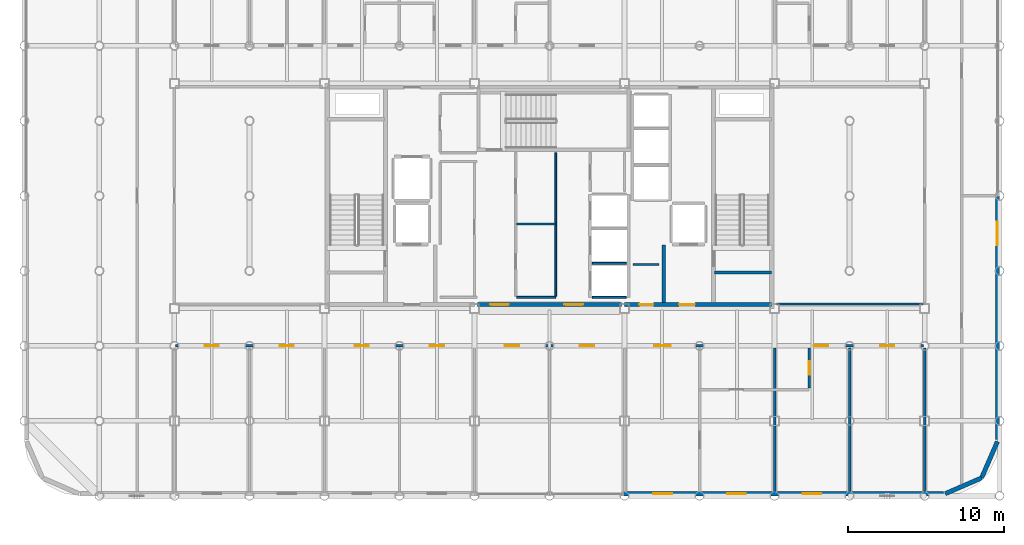
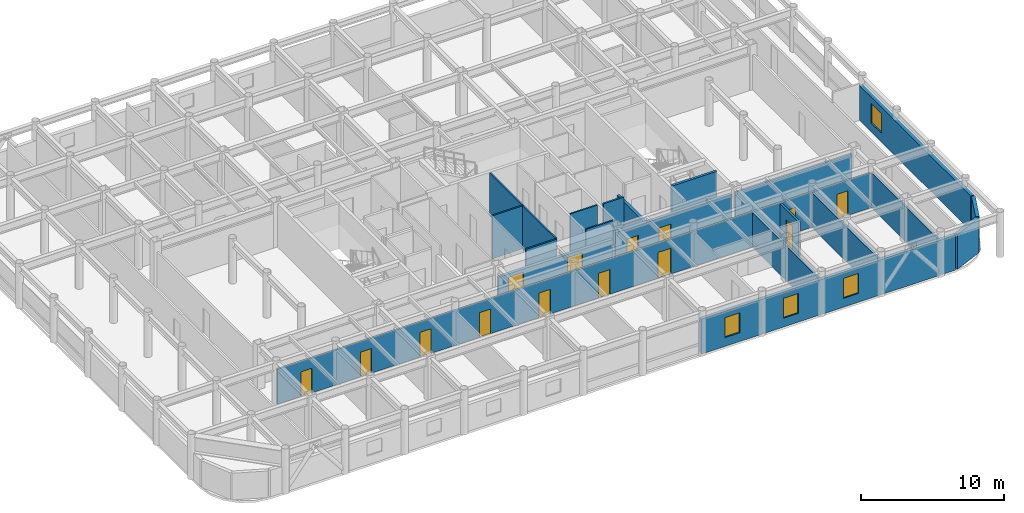
# One storey, part 19 of 22: 20 walls, 14 doors, 4 windows, 18 openings.
"""IFC4 building model written with IfcOpenShell, lengths in metres."""

from ifc_helpers import new_model, si_unit, direction, frame, frame_2d, origin, place, context, subcontext, project, spatial, rectangle, extrude, material, layer, layer_set, type_object, element, fill, save


model = new_model("IFC4")

# Units and contexts
model_context = context("Model", 3, precision=1e-05, world=origin(), true_north=direction((0.0, 1.0)))
body_context = subcontext(model_context, "Body", "Model", "MODEL_VIEW")
ifc_project = project(units=[si_unit("LENGTHUNIT", "METRE"), si_unit("AREAUNIT", "SQUARE_METRE"), si_unit("VOLUMEUNIT", "CUBIC_METRE"), si_unit("PLANEANGLEUNIT", "RADIAN"), si_unit("MASSUNIT", "GRAM", prefix="KILO")], contexts=[model_context])

# Site, building, storey
site_placement = place(None, origin())
site = spatial("IfcSite", under=ifc_project, at=site_placement, CompositionType="ELEMENT")
building_placement = place(site_placement, origin())
building = spatial("IfcBuilding", under=site, at=building_placement, Name="Kallvorn Hotel Tower", CompositionType="ELEMENT")
storey_placement = place(building_placement, frame((0.0, 0.0, 253.10009765625)))
storey = spatial("IfcBuildingStorey", under=building, at=storey_placement, Name="L63", CompositionType="ELEMENT", Elevation=253.10009765625)

# Wall, openings, doors
ifc_material_1 = material(Name="Fire-rated double-layer acoustic gypsum drywall EI 60")
ifc_layer_1 = layer(ifc_material_1, 0.159912109375)
ifc_layer_set_1 = layer_set([ifc_layer_1], Name="WL_DEMISE_160")
wall_type_1 = type_object("IfcWallType", Name="WL_DEMISE_160", PredefinedType="PARTITIONING", material=ifc_layer_set_1)
wall_1_placement = place(storey_placement, frame((-23.919921875, -9.60009765625, 0.0), z_axis=(0.0, 0.0, 1.0), x_axis=(1.0, 0.0, 0.0)))
wall_1 = element("IfcWall", 1, at=wall_1_placement, inside=storey, type_object=wall_type_1, Name="L63 Suite 6301 Executive Living Salon Partition", PredefinedType="PARTITIONING", context=body_context, shape_type="SweptSolid", body=[
    extrude(rectangle(XDim=47.83984375, YDim=0.159912109375, at=frame_2d((23.919921875, 0.0))), origin(), (0.0, 0.0, 1.0), 2.969970703125),
])
opening_1_placement = place(wall_1_placement, frame((1.8701171875, 0.0, 0.0)))
opening_1 = element("IfcOpeningElement", 2, at=opening_1_placement, cuts=wall_1, Name="Opening SVD1", PredefinedType="OPENING", context=body_context, shape_type="SweptSolid", body=[
    extrude(rectangle(XDim=0.89990234375, YDim=2.10009765625, at=frame_2d((0.449951171875, 1.050048828125))), frame((0.0, 0.094970703125, 0.0), z_axis=(0.0, -1.0, 0.0), x_axis=(1.0, 0.0, 0.0)), (0.0, 0.0, 1.0), 0.18994140625),
])
opening_2_placement = place(wall_1_placement, frame((45.070068359375, 0.0, 0.0)))
opening_2 = element("IfcOpeningElement", 3, at=opening_2_placement, cuts=wall_1, Name="Opening SVD1", PredefinedType="OPENING", context=body_context, shape_type="SweptSolid", body=[
    extrude(rectangle(XDim=0.89990234375, YDim=2.10009765625, at=frame_2d((0.449951171875, 1.050048828125))), frame((0.0, 0.094970703125, 0.0), z_axis=(0.0, -1.0, 0.0), x_axis=(1.0, 0.0, 0.0)), (0.0, 0.0, 1.0), 0.18994140625),
])
opening_3_placement = place(wall_1_placement, frame((6.669921875, 0.0, 0.0)))
opening_3 = element("IfcOpeningElement", 4, at=opening_3_placement, cuts=wall_1, Name="Opening SVD1", PredefinedType="OPENING", context=body_context, shape_type="SweptSolid", body=[
    extrude(rectangle(XDim=0.89990234375, YDim=2.10009765625, at=frame_2d((0.449951171875, 1.050048828125))), frame((0.0, 0.094970703125, 0.0), z_axis=(0.0, -1.0, 0.0), x_axis=(1.0, 0.0, 0.0)), (0.0, 0.0, 1.0), 0.18994140625),
])
opening_4_placement = place(wall_1_placement, frame((11.469970703125, 0.0, 0.0)))
opening_4 = element("IfcOpeningElement", 5, at=opening_4_placement, cuts=wall_1, Name="Opening SVD1", PredefinedType="OPENING", context=body_context, shape_type="SweptSolid", body=[
    extrude(rectangle(XDim=0.89990234375, YDim=2.10009765625, at=frame_2d((0.449951171875, 1.050048828125))), frame((0.0, 0.094970703125, 0.0), z_axis=(0.0, -1.0, 0.0), x_axis=(1.0, 0.0, 0.0)), (0.0, 0.0, 1.0), 0.18994140625),
])
opening_5_placement = place(wall_1_placement, frame((16.27001953125, 0.0, 0.0)))
opening_5 = element("IfcOpeningElement", 6, at=opening_5_placement, cuts=wall_1, Name="Opening SVD1", PredefinedType="OPENING", context=body_context, shape_type="SweptSolid", body=[
    extrude(rectangle(XDim=0.89990234375, YDim=2.10009765625, at=frame_2d((0.449951171875, 1.050048828125))), frame((0.0, 0.094970703125, 0.0), z_axis=(0.0, -1.0, 0.0), x_axis=(1.0, 0.0, 0.0)), (0.0, 0.0, 1.0), 0.18994140625),
])
opening_6_placement = place(wall_1_placement, frame((21.070068359375, 0.0, 0.0)))
opening_6 = element("IfcOpeningElement", 7, at=opening_6_placement, cuts=wall_1, Name="Opening SVD1", PredefinedType="OPENING", context=body_context, shape_type="SweptSolid", body=[
    extrude(rectangle(XDim=0.89990234375, YDim=2.10009765625, at=frame_2d((0.449951171875, 1.050048828125))), frame((0.0, 0.094970703125, 0.0), z_axis=(0.0, -1.0, 0.0), x_axis=(1.0, 0.0, 0.0)), (0.0, 0.0, 1.0), 0.18994140625),
])
opening_7_placement = place(wall_1_placement, frame((25.8701171875, 0.0, 0.0)))
opening_7 = element("IfcOpeningElement", 8, at=opening_7_placement, cuts=wall_1, Name="Opening SVD1", PredefinedType="OPENING", context=body_context, shape_type="SweptSolid", body=[
    extrude(rectangle(XDim=0.89990234375, YDim=2.10009765625, at=frame_2d((0.449951171875, 1.050048828125))), frame((0.0, 0.094970703125, 0.0), z_axis=(0.0, -1.0, 0.0), x_axis=(1.0, 0.0, 0.0)), (0.0, 0.0, 1.0), 0.18994140625),
])
opening_8_placement = place(wall_1_placement, frame((30.635009765625, 0.0, 0.0)))
opening_8 = element("IfcOpeningElement", 9, at=opening_8_placement, cuts=wall_1, Name="Opening GD2", PredefinedType="OPENING", context=body_context, shape_type="SweptSolid", body=[
    extrude(rectangle(XDim=1.050048828125, YDim=2.199951171875, at=frame_2d((0.52490234375, 1.10009765625))), frame((0.0, 0.094970703125, 0.0), z_axis=(0.0, -1.0, 0.0), x_axis=(1.0, 0.0, 0.0)), (0.0, 0.0, 1.0), 0.18994140625),
])
opening_9_placement = place(wall_1_placement, frame((40.830078125, 0.0, 0.0)))
opening_9 = element("IfcOpeningElement", 10, at=opening_9_placement, cuts=wall_1, Name="Opening GD1", PredefinedType="OPENING", context=body_context, shape_type="SweptSolid", body=[
    extrude(rectangle(XDim=0.919921875, YDim=2.14990234375, at=frame_2d((0.4599609375, 1.074951171875))), frame((0.0, 0.094970703125, 0.0), z_axis=(0.0, -1.0, 0.0), x_axis=(1.0, 0.0, 0.0)), (0.0, 0.0, 1.0), 0.18994140625),
])
ifc_material_2 = material(Name="Solid-core walnut veneer fire-rated timber door leaf", Category="wood")
door_type_1 = type_object("IfcDoorType", Name="DR_GUEST_920x2150", OperationType="NOTDEFINED", PredefinedType="DOOR", material=ifc_material_2)
door_1_placement = place(opening_9_placement, origin())
door_1 = element("IfcDoor", 11, at=door_1_placement, inside=storey, type_object=door_type_1, Name="L63 Suite 6302 Superior Twin Room Door", OperationType="SINGLE_SWING_LEFT", OverallHeight=2.14990234375, OverallWidth=0.919921875, PredefinedType="DOOR", context=body_context, shape_type="SweptSolid", body=[
    extrude(rectangle(XDim=0.919921875, YDim=2.14990234375, at=frame_2d((0.4599609375, 1.074951171875))), frame((0.0, 0.02490234375, 0.0), z_axis=(0.0, -1.0, 0.0), x_axis=(1.0, 0.0, 0.0)), (0.0, 0.0, 1.0), 0.050048828125),
])
fill(opening_9, door_1)
ifc_material_3 = material(Name="Galvanised painted steel fire-rated door assembly", Category="steel")
door_type_2 = type_object("IfcDoorType", Name="DR_SERV_900x2100", OperationType="NOTDEFINED", PredefinedType="DOOR", material=ifc_material_3)
door_2_placement = place(opening_1_placement, origin())
door_2 = element("IfcDoor", 12, at=door_2_placement, inside=storey, type_object=door_type_2, Name="L63 L63 High-Zone South-West Tea Bar Door", OperationType="SINGLE_SWING_LEFT", OverallHeight=2.10009765625, OverallWidth=0.89990234375, PredefinedType="DOOR", context=body_context, shape_type="SweptSolid", body=[
    extrude(rectangle(XDim=0.89990234375, YDim=2.10009765625, at=frame_2d((0.449951171875, 1.050048828125))), frame((0.0, 0.02490234375, 0.0), z_axis=(0.0, -1.0, 0.0), x_axis=(1.0, 0.0, 0.0)), (0.0, 0.0, 1.0), 0.050048828125),
])
fill(opening_1, door_2)
door_3_placement = place(opening_2_placement, origin())
door_3 = element("IfcDoor", 13, at=door_3_placement, inside=storey, type_object=door_type_2, Name="L63 L63 High-Zone South-East Wine Bar Door", OperationType="SINGLE_SWING_RIGHT", OverallHeight=2.10009765625, OverallWidth=0.89990234375, PredefinedType="DOOR", context=body_context, shape_type="SweptSolid", body=[
    extrude(rectangle(XDim=0.89990234375, YDim=2.10009765625, at=frame_2d((0.449951171875, 1.050048828125))), frame((0.0, 0.02490234375, 0.0), z_axis=(0.0, -1.0, 0.0), x_axis=(1.0, 0.0, 0.0)), (0.0, 0.0, 1.0), 0.050048828125),
])
fill(opening_2, door_3)
door_4_placement = place(opening_3_placement, origin())
door_4 = element("IfcDoor", 14, at=door_4_placement, inside=storey, type_object=door_type_2, Name="L63 L63 Executive Co-Working Open-Plan Office 1-1 Door", OperationType="SINGLE_SWING_LEFT", OverallHeight=2.10009765625, OverallWidth=0.89990234375, PredefinedType="DOOR", context=body_context, shape_type="SweptSolid", body=[
    extrude(rectangle(XDim=0.89990234375, YDim=2.10009765625, at=frame_2d((0.449951171875, 1.050048828125))), frame((0.0, 0.02490234375, 0.0), z_axis=(0.0, -1.0, 0.0), x_axis=(1.0, 0.0, 0.0)), (0.0, 0.0, 1.0), 0.050048828125),
])
fill(opening_3, door_4)
door_5_placement = place(opening_4_placement, origin())
door_5 = element("IfcDoor", 15, at=door_5_placement, inside=storey, type_object=door_type_2, Name="L63 L63 Executive Co-Working Open-Plan Office 1-2 Door", OperationType="SINGLE_SWING_RIGHT", OverallHeight=2.10009765625, OverallWidth=0.89990234375, PredefinedType="DOOR", context=body_context, shape_type="SweptSolid", body=[
    extrude(rectangle(XDim=0.89990234375, YDim=2.10009765625, at=frame_2d((0.449951171875, 1.050048828125))), frame((0.0, 0.02490234375, 0.0), z_axis=(0.0, -1.0, 0.0), x_axis=(1.0, 0.0, 0.0)), (0.0, 0.0, 1.0), 0.050048828125),
])
fill(opening_4, door_5)
door_6_placement = place(opening_5_placement, origin())
door_6 = element("IfcDoor", 16, at=door_6_placement, inside=storey, type_object=door_type_2, Name="L63 L63 Executive Co-Working Open-Plan Office 1-3 Door", OperationType="SINGLE_SWING_RIGHT", OverallHeight=2.10009765625, OverallWidth=0.89990234375, PredefinedType="DOOR", context=body_context, shape_type="SweptSolid", body=[
    extrude(rectangle(XDim=0.89990234375, YDim=2.10009765625, at=frame_2d((0.449951171875, 1.050048828125))), frame((0.0, 0.02490234375, 0.0), z_axis=(0.0, -1.0, 0.0), x_axis=(1.0, 0.0, 0.0)), (0.0, 0.0, 1.0), 0.050048828125),
])
fill(opening_5, door_6)
door_7_placement = place(opening_6_placement, origin())
door_7 = element("IfcDoor", 17, at=door_7_placement, inside=storey, type_object=door_type_2, Name="L63 L63 Diplomatic Summit Conference Boardroom 2-1 Door", OperationType="SINGLE_SWING_RIGHT", OverallHeight=2.10009765625, OverallWidth=0.89990234375, PredefinedType="DOOR", context=body_context, shape_type="SweptSolid", body=[
    extrude(rectangle(XDim=0.89990234375, YDim=2.10009765625, at=frame_2d((0.449951171875, 1.050048828125))), frame((0.0, 0.02490234375, 0.0), z_axis=(0.0, -1.0, 0.0), x_axis=(1.0, 0.0, 0.0)), (0.0, 0.0, 1.0), 0.050048828125),
])
fill(opening_6, door_7)
door_8_placement = place(opening_7_placement, origin())
door_8 = element("IfcDoor", 18, at=door_8_placement, inside=storey, type_object=door_type_2, Name="L63 L63 Diplomatic Summit Conference Boardroom 2-2 Door", OperationType="SINGLE_SWING_LEFT", OverallHeight=2.10009765625, OverallWidth=0.89990234375, PredefinedType="DOOR", context=body_context, shape_type="SweptSolid", body=[
    extrude(rectangle(XDim=0.89990234375, YDim=2.10009765625, at=frame_2d((0.449951171875, 1.050048828125))), frame((0.0, 0.02490234375, 0.0), z_axis=(0.0, -1.0, 0.0), x_axis=(1.0, 0.0, 0.0)), (0.0, 0.0, 1.0), 0.050048828125),
])
fill(opening_7, door_8)
ifc_material_4 = material(Name="Solid-core walnut veneer fire-rated timber door leaf", Category="wood")
door_type_3 = type_object("IfcDoorType", Name="DR_SUITE_1050x2200", OperationType="NOTDEFINED", PredefinedType="DOOR", material=ifc_material_4)
door_9_placement = place(opening_8_placement, origin())
door_9 = element("IfcDoor", 19, at=door_9_placement, inside=storey, type_object=door_type_3, Name="L63 Suite 6301 Executive Living Salon Door", OperationType="SINGLE_SWING_RIGHT", OverallHeight=2.199951171875, OverallWidth=1.050048828125, PredefinedType="DOOR", context=body_context, shape_type="SweptSolid", body=[
    extrude(rectangle(XDim=1.050048828125, YDim=2.199951171875, at=frame_2d((0.52490234375, 1.10009765625))), frame((0.0, 0.02490234375, 0.0), z_axis=(0.0, -1.0, 0.0), x_axis=(1.0, 0.0, 0.0)), (0.0, 0.0, 1.0), 0.050048828125),
])
fill(opening_8, door_9)

# Wall
wall_2_placement = place(storey_placement, frame((14.39990234375, -18.909912109375, 0.0), z_axis=(0.0, 0.0, 1.0), x_axis=(0.0, 1.0, 0.0)))
element("IfcWall", 20, at=wall_2_placement, inside=storey, type_object=wall_type_1, Name="L63 Suite 6301 Executive Bedroom Partition", PredefinedType="PARTITIONING", context=body_context, shape_type="SweptSolid", body=[
    extrude(rectangle(XDim=9.18994140625, YDim=0.159912109375, at=frame_2d((4.594970703125, 0.0))), origin(), (0.0, 0.0, 1.0), 2.969970703125),
])

# Wall, opening, door
wall_3_placement = place(storey_placement, frame((16.610107421875, -12.31005859375, 0.0), z_axis=(0.0, 0.0, 1.0), x_axis=(0.0, 1.0, 0.0)))
wall_3 = element("IfcWall", 21, at=wall_3_placement, inside=storey, type_object=wall_type_1, Name="L63 Suite 6302 Superior Twin Room Partition", PredefinedType="PARTITIONING", context=body_context, shape_type="SweptSolid", body=[
    extrude(rectangle(XDim=2.590087890625, YDim=0.159912109375, at=frame_2d((1.294921875, 0.0))), origin(), (0.0, 0.0, 1.0), 2.969970703125),
])
opening_10_placement = place(wall_3_placement, frame((0.860107421875, 0.0, 0.0)))
opening_10 = element("IfcOpeningElement", 22, at=opening_10_placement, cuts=wall_3, Name="Opening BD-I", PredefinedType="OPENING", context=body_context, shape_type="SweptSolid", body=[
    extrude(rectangle(XDim=0.860107421875, YDim=2.10009765625, at=frame_2d((0.43017578125, 1.050048828125))), frame((0.0, 0.094970703125, 0.0), z_axis=(0.0, -1.0, 0.0), x_axis=(1.0, 0.0, 0.0)), (0.0, 0.0, 1.0), 0.18994140625),
])
ifc_material_5 = material(Name="Solid-core walnut veneer fire-rated timber door leaf", Category="wood")
door_type_4 = type_object("IfcDoorType", Name="DR_BATH_860x2100", OperationType="NOTDEFINED", PredefinedType="DOOR", material=ifc_material_5)
door_10_placement = place(opening_10_placement, origin())
door_10 = element("IfcDoor", 23, at=door_10_placement, inside=storey, type_object=door_type_4, Name="L63 Suite 6302 En-Suite Bathroom Door", OperationType="SINGLE_SWING_RIGHT", OverallHeight=2.10009765625, OverallWidth=0.860107421875, PredefinedType="DOOR", context=body_context, shape_type="SweptSolid", body=[
    extrude(rectangle(XDim=0.860107421875, YDim=2.10009765625, at=frame_2d((0.43017578125, 1.050048828125))), frame((0.0, 0.02490234375, 0.0), z_axis=(0.0, -1.0, 0.0), x_axis=(1.0, 0.0, 0.0)), (0.0, 0.0, 1.0), 0.050048828125),
])
fill(opening_10, door_10)

# Walls
wall_4_placement = place(storey_placement, frame((19.199951171875, -18.909912109375, 0.0), z_axis=(0.0, 0.0, 1.0), x_axis=(0.0, 1.0, 0.0)))
element("IfcWall", 24, at=wall_4_placement, inside=storey, type_object=wall_type_1, Name="L63 Suite 6302 Superior Twin Room Partition", PredefinedType="PARTITIONING", context=body_context, shape_type="SweptSolid", body=[
    extrude(rectangle(XDim=9.18994140625, YDim=0.159912109375, at=frame_2d((4.594970703125, 0.0))), origin(), (0.0, 0.0, 1.0), 2.969970703125),
])
ifc_material_6 = material(Name="Precast basalt-clad insulated concrete wall C40/50", Category="masonry")
ifc_layer_2 = layer(ifc_material_6, 0.280029296875)
ifc_layer_set_2 = layer_set([ifc_layer_2], Name="WL_EXT_LOGGIA_280")
wall_type_2 = type_object("IfcWallType", Name="WL_EXT_LOGGIA_280", PredefinedType="SOLIDWALL", material=ifc_layer_set_2)
wall_5_placement = place(storey_placement, frame((25.32080078125, -19.057861328125, 0.0), z_axis=(0.0, 0.0, 1.0), x_axis=(0.917060872934, 0.398747232384, 0.0)))
element("IfcWall", 25, at=wall_5_placement, inside=storey, type_object=wall_type_2, Name="L63 Rounded Corner Exterior Wall SE1", PredefinedType="SOLIDWALL", context=body_context, shape_type="SweptSolid", body=[
    extrude(rectangle(XDim=2.5361328125, YDim=0.280029296875, at=frame_2d((1.26806640625, 0.0))), origin(), (0.0, 0.0, 1.0), 2.969970703125),
])
wall_6_placement = place(storey_placement, frame((27.646484375, -18.046630859375, 0.0), z_axis=(0.0, 0.0, 1.0), x_axis=(0.398792985289, 0.917040977756, 0.0)))
element("IfcWall", 26, at=wall_6_placement, inside=storey, type_object=wall_type_2, Name="L63 Rounded Corner Exterior Wall SE2", PredefinedType="SOLIDWALL", context=body_context, shape_type="SweptSolid", body=[
    extrude(rectangle(XDim=2.536376953125, YDim=0.280029296875, at=frame_2d((1.26806640625, 0.0))), origin(), (0.0, 0.0, 1.0), 3.02001953125),
])

# Wall, openings, windows
wall_7_placement = place(storey_placement, frame((4.75, -19.06005859375, 0.0), z_axis=(0.0, 0.0, 1.0), x_axis=(1.0, 0.0, 0.0)))
wall_7 = element("IfcWall", 27, at=wall_7_placement, inside=storey, type_object=wall_type_2, Name="L63 Exterior Envelope Wall EW-L63-SE", PredefinedType="SOLIDWALL", context=body_context, shape_type="SweptSolid", body=[
    extrude(rectangle(XDim=20.449951171875, YDim=0.280029296875, at=frame_2d((10.22509765625, 0.0))), origin(), (0.0, 0.0, 1.0), 2.969970703125),
])
opening_11_placement = place(wall_7_placement, frame((1.889892578125, 0.0, 0.75)))
opening_11 = element("IfcOpeningElement", 28, at=opening_11_placement, cuts=wall_7, Name="Opening W06", PredefinedType="OPENING", context=body_context, shape_type="SweptSolid", body=[
    extrude(rectangle(XDim=1.199951171875, YDim=1.699951171875, at=frame_2d((0.60009765625, 0.85009765625))), frame((0.0, 0.155029296875, 0.0), z_axis=(0.0, -1.0, 0.0), x_axis=(1.0, 0.0, 0.0)), (0.0, 0.0, 1.0), 0.31005859375),
])
opening_12_placement = place(wall_7_placement, frame((6.610107421875, 0.0, 0.75)))
opening_12 = element("IfcOpeningElement", 29, at=opening_12_placement, cuts=wall_7, Name="Opening W06", PredefinedType="OPENING", context=body_context, shape_type="SweptSolid", body=[
    extrude(rectangle(XDim=1.199951171875, YDim=1.699951171875, at=frame_2d((0.60009765625, 0.85009765625))), frame((0.0, 0.155029296875, 0.0), z_axis=(0.0, -1.0, 0.0), x_axis=(1.0, 0.0, 0.0)), (0.0, 0.0, 1.0), 0.31005859375),
])
opening_13_placement = place(wall_7_placement, frame((11.449951171875, 0.0, 0.75)))
opening_13 = element("IfcOpeningElement", 30, at=opening_13_placement, cuts=wall_7, Name="Opening W06", PredefinedType="OPENING", context=body_context, shape_type="SweptSolid", body=[
    extrude(rectangle(XDim=1.199951171875, YDim=1.699951171875, at=frame_2d((0.60009765625, 0.85009765625))), frame((0.0, 0.155029296875, 0.0), z_axis=(0.0, -1.0, 0.0), x_axis=(1.0, 0.0, 0.0)), (0.0, 0.0, 1.0), 0.31005859375),
])
ifc_material_7 = material(Name="Triple-glazed low-e acoustic solar-control dark glass", Category="glass")
window_type_1 = type_object("IfcWindowType", Name="WN_HTL_1200x1700", PartitioningType="SINGLE_PANEL", PredefinedType="WINDOW", material=ifc_material_7)
window_1_placement = place(opening_11_placement, origin())
window_1 = element("IfcWindow", 31, at=window_1_placement, inside=storey, type_object=window_type_1, Name="L63 Guestroom Exterior Window 07", OverallHeight=1.699951171875, OverallWidth=1.199951171875, PartitioningType="SINGLE_PANEL", PredefinedType="WINDOW", context=body_context, shape_type="SweptSolid", body=[
    extrude(rectangle(XDim=1.199951171875, YDim=1.699951171875, at=frame_2d((0.60009765625, 0.85009765625))), frame((0.0, 0.030029296875, 0.0), z_axis=(0.0, -1.0, 0.0), x_axis=(1.0, 0.0, 0.0)), (0.0, 0.0, 1.0), 0.06005859375),
])
fill(opening_11, window_1)
window_2_placement = place(opening_12_placement, origin())
window_2 = element("IfcWindow", 32, at=window_2_placement, inside=storey, type_object=window_type_1, Name="L63 Guestroom Exterior Window 08", OverallHeight=1.699951171875, OverallWidth=1.199951171875, PartitioningType="SINGLE_PANEL", PredefinedType="WINDOW", context=body_context, shape_type="SweptSolid", body=[
    extrude(rectangle(XDim=1.199951171875, YDim=1.699951171875, at=frame_2d((0.60009765625, 0.85009765625))), frame((0.0, 0.030029296875, 0.0), z_axis=(0.0, -1.0, 0.0), x_axis=(1.0, 0.0, 0.0)), (0.0, 0.0, 1.0), 0.06005859375),
])
fill(opening_12, window_2)
window_3_placement = place(opening_13_placement, origin())
window_3 = element("IfcWindow", 33, at=window_3_placement, inside=storey, type_object=window_type_1, Name="L63 Guestroom Exterior Window 09", OverallHeight=1.699951171875, OverallWidth=1.199951171875, PartitioningType="SINGLE_PANEL", PredefinedType="WINDOW", context=body_context, shape_type="SweptSolid", body=[
    extrude(rectangle(XDim=1.199951171875, YDim=1.699951171875, at=frame_2d((0.60009765625, 0.85009765625))), frame((0.0, 0.030029296875, 0.0), z_axis=(0.0, -1.0, 0.0), x_axis=(1.0, 0.0, 0.0)), (0.0, 0.0, 1.0), 0.06005859375),
])
fill(opening_13, window_3)

# Wall, opening, window
wall_8_placement = place(storey_placement, frame((28.659912109375, -15.60009765625, 0.0), z_axis=(0.0, 0.0, 1.0), x_axis=(0.0, 1.0, 0.0)))
wall_8 = element("IfcWall", 34, at=wall_8_placement, inside=storey, type_object=wall_type_2, Name="L63 Exterior Envelope Wall EW-L63-ES", PredefinedType="SOLIDWALL", context=body_context, shape_type="SweptSolid", body=[
    extrude(rectangle(XDim=15.580078125, YDim=0.280029296875, at=frame_2d((7.7900390625, 0.0))), origin(), (0.0, 0.0, 1.0), 2.969970703125),
])
opening_14_placement = place(wall_8_placement, frame((12.449951171875, 0.0, 0.75)))
opening_14 = element("IfcOpeningElement", 35, at=opening_14_placement, cuts=wall_8, Name="Opening W05", PredefinedType="OPENING", context=body_context, shape_type="SweptSolid", body=[
    extrude(rectangle(XDim=1.5, YDim=1.699951171875, at=frame_2d((0.75, 0.85009765625))), frame((0.0, 0.155029296875, 0.0), z_axis=(0.0, -1.0, 0.0), x_axis=(1.0, 0.0, 0.0)), (0.0, 0.0, 1.0), 0.31005859375),
])
ifc_material_8 = material(Name="Double-glazed low-e solar-control dark glass", Category="glass")
window_type_2 = type_object("IfcWindowType", Name="WN_HTL_1500x1700", PartitioningType="SINGLE_PANEL", PredefinedType="WINDOW", material=ifc_material_8)
window_4_placement = place(opening_14_placement, origin())
window_4 = element("IfcWindow", 36, at=window_4_placement, inside=storey, type_object=window_type_2, Name="L63 Flank Wing Window 03", OverallHeight=1.699951171875, OverallWidth=1.5, PartitioningType="SINGLE_PANEL", PredefinedType="WINDOW", context=body_context, shape_type="SweptSolid", body=[
    extrude(rectangle(XDim=1.5, YDim=1.699951171875, at=frame_2d((0.75, 0.85009765625))), frame((0.0, 0.030029296875, 0.0), z_axis=(0.0, -1.0, 0.0), x_axis=(1.0, 0.0, 0.0)), (0.0, 0.0, 1.0), 0.06005859375),
])
fill(opening_14, window_4)

# Walls
ifc_material_9 = material(Name="Concrete C40/50", Category="concrete")
ifc_layer_3 = layer(ifc_material_9, 0.219970703125)
ifc_layer_set_3 = layer_set([ifc_layer_3], Name="WL_FFL_220")
wall_type_3 = type_object("IfcWallType", Name="WL_FFL_220", PredefinedType="SOLIDWALL", material=ifc_layer_set_3)
wall_9_placement = place(storey_placement, frame((7.300048828125, -6.820068359375, 0.0), z_axis=(0.0, 0.0, 1.0), x_axis=(0.0, 1.0, 0.0)))
element("IfcWall", 37, at=wall_9_placement, inside=storey, type_object=wall_type_3, Name="L63 Firefighting Lobby East Divider Wall", PredefinedType="SOLIDWALL", context=body_context, shape_type="SweptSolid", body=[
    extrude(rectangle(XDim=3.670166015625, YDim=0.219970703125, at=frame_2d((1.8349609375, 0.0))), origin(), (0.0, 0.0, 1.0), 2.969970703125),
])
ifc_material_10 = material(Name="Concrete C40/50", Category="concrete")
ifc_layer_4 = layer(ifc_material_10, 0.199951171875)
ifc_layer_set_4 = layer_set([ifc_layer_4], Name="WL_HOIST_200")
wall_type_4 = type_object("IfcWallType", Name="WL_HOIST_200", PredefinedType="SOLIDWALL", material=ifc_layer_set_4)
wall_10_placement = place(storey_placement, frame((10.550048828125, -4.89990234375, -0.18017578125), z_axis=(0.0, 0.0, 1.0), x_axis=(1.0, 0.0, 0.0)))
element("IfcWall", 38, at=wall_10_placement, inside=storey, type_object=wall_type_4, Name="L63 Stair ST2 South Wall", PredefinedType="SOLIDWALL", context=body_context, shape_type="SweptSolid", body=[
    extrude(rectangle(XDim=3.64990234375, YDim=0.199951171875, at=frame_2d((1.824951171875, 0.0))), origin(), (0.0, 0.0, 1.0), 3.85009765625),
])
ifc_material_11 = material(Name="Fire-rated double-layer acoustic gypsum drywall EI 60")
ifc_layer_5 = layer(ifc_material_11, 0.1201171875)
ifc_layer_set_5 = layer_set([ifc_layer_5], Name="WL_INT_120")
wall_type_5 = type_object("IfcWallType", Name="WL_INT_120", PredefinedType="PARTITIONING", material=ifc_layer_set_5)
for number, where, z_axis, x_axis, name in (
    (39, (2.739990234375, -6.5, 0.0), (0.0, 0.0, 1.0), (1.0, 0.0, 0.0), "L63 Lift Bank B3A South Closure Wall"),
    (40, (2.739990234375, -4.324951171875, 0.0), (0.0, 0.0, 1.0), (1.0, 0.0, 0.0), "L63 PL-09 Hoistway Divider"),
):
    element("IfcWall", number, at=place(storey_placement, frame(where, z_axis=z_axis, x_axis=x_axis)), inside=storey, type_object=wall_type_5, Name=name, PredefinedType="PARTITIONING", context=body_context, shape_type="SweptSolid", body=[
        extrude(rectangle(XDim=2.169921875, YDim=0.1201171875, at=frame_2d((1.0849609375, 0.0))), origin(), (0.0, 0.0, 1.0), 3.669921875),
    ])
for number, where, z_axis, x_axis, name in (
    (41, (-2.10009765625, -6.5, 0.0), (0.0, 0.0, 1.0), (1.0, 0.0, 0.0), "L63 High-Zone Sommelier and Beverage Pantry Partition"),
    (42, (-2.10009765625, -1.800048828125, 0.0), (0.0, 0.0, 1.0), (1.0, 0.0, 0.0), "L63 High-Zone Housekeeping Reserve Store Partition"),
):
    element("IfcWall", number, at=place(storey_placement, frame(where, z_axis=z_axis, x_axis=x_axis)), inside=storey, type_object=wall_type_5, Name=name, PredefinedType="PARTITIONING", context=body_context, shape_type="SweptSolid", body=[
        extrude(rectangle(XDim=2.5, YDim=0.1201171875, at=frame_2d((1.25, 0.0))), origin(), (0.0, 0.0, 1.0), 3.669921875),
    ])
wall_11_placement = place(storey_placement, frame((0.39990234375, -6.4150390625, 0.0), z_axis=(0.0, 0.0, 1.0), x_axis=(0.0, 1.0, 0.0)))
element("IfcWall", 43, at=wall_11_placement, inside=storey, type_object=wall_type_5, Name="L63 High-Zone Sommelier and Beverage Pantry Partition", PredefinedType="PARTITIONING", context=body_context, shape_type="SweptSolid", body=[
    extrude(rectangle(XDim=9.1650390625, YDim=0.1201171875, at=frame_2d((4.58251953125, 0.0))), origin(), (0.0, 0.0, 1.0), 3.669921875),
])
ifc_material_12 = material(Name="Fire-rated double-layer acoustic gypsum drywall EI 60")
ifc_layer_6 = layer(ifc_material_12, 0.14990234375)
ifc_layer_set_6 = layer_set([ifc_layer_6], Name="WL_PART_150")
wall_type_6 = type_object("IfcWallType", Name="WL_PART_150", PredefinedType="PARTITIONING", material=ifc_layer_set_6)
wall_12_placement = place(storey_placement, frame((14.52001953125, -6.919921875, 0.0), z_axis=(0.0, 0.0, 1.0), x_axis=(1.0, 0.0, 0.0)))
element("IfcWall", 44, at=wall_12_placement, inside=storey, type_object=wall_type_6, Name="L63 L63 High-Zone Inner East Club Gallery Partition", PredefinedType="PARTITIONING", context=body_context, shape_type="SweptSolid", body=[
    extrude(rectangle(XDim=9.39990234375, YDim=0.14990234375, at=frame_2d((4.699951171875, 0.0))), origin(), (0.0, 0.0, 1.0), 2.969970703125),
])
wall_13_placement = place(storey_placement, frame((24.0, -18.909912109375, 0.0), z_axis=(0.0, 0.0, 1.0), x_axis=(0.0, 1.0, 0.0)))
element("IfcWall", 45, at=wall_13_placement, inside=storey, type_object=wall_type_6, Name="L63 L63 High-Zone South-East Wine Bar Partition", PredefinedType="PARTITIONING", context=body_context, shape_type="SweptSolid", body=[
    extrude(rectangle(XDim=9.18994140625, YDim=0.14990234375, at=frame_2d((4.594970703125, 0.0))), origin(), (0.0, 0.0, 1.0), 2.969970703125),
])
ifc_material_13 = material(Name="Moisture-resistant acoustic plumbing chase wall EI 60")
ifc_layer_7 = layer(ifc_material_13, 0.139892578125)
ifc_layer_set_7 = layer_set([ifc_layer_7], Name="WL_PLUMB_140")
wall_type_7 = type_object("IfcWallType", Name="WL_PLUMB_140", PredefinedType="PLUMBINGWALL", material=ifc_layer_set_7)
wall_14_placement = place(storey_placement, frame((5.35009765625, -4.39990234375, 0.0), z_axis=(0.0, 0.0, 1.0), x_axis=(1.0, 0.0, 0.0)))
element("IfcWall", 46, at=wall_14_placement, inside=storey, type_object=wall_type_7, Name="L63 Core Staff Restroom WC Partition", PredefinedType="PLUMBINGWALL", context=body_context, shape_type="SweptSolid", body=[
    extrude(rectangle(XDim=1.64990234375, YDim=0.139892578125, at=frame_2d((0.824951171875, 0.0))), origin(), (0.0, 0.0, 1.0), 3.669921875),
])

# Wall, openings, doors
ifc_material_14 = material(Name="Concrete C40/50", Category="concrete")
ifc_layer_8 = layer(ifc_material_14, 0.25)
ifc_layer_set_8 = layer_set([ifc_layer_8], Name="WL_SHAFT_250")
wall_type_8 = type_object("IfcWallType", Name="WL_SHAFT_250", PredefinedType="SOLIDWALL", material=ifc_layer_set_8)
wall_15_placement = place(storey_placement, frame((-4.60009765625, -6.949951171875, 0.0), z_axis=(0.0, 0.0, 1.0), x_axis=(1.0, 0.0, 0.0)))
wall_15 = element("IfcWall", 47, at=wall_15_placement, inside=storey, type_object=wall_type_8, Name="L63 Core South-Central Wall", PredefinedType="SOLIDWALL", context=body_context, shape_type="SweptSolid", body=[
    extrude(rectangle(XDim=9.2001953125, YDim=0.25, at=frame_2d((4.60009765625, 0.0))), origin(), (0.0, 0.0, 1.0), 2.469970703125),
])
opening_15_placement = place(wall_15_placement, frame((0.800048828125, 0.0, 0.0)))
opening_15 = element("IfcOpeningElement", 48, at=opening_15_placement, cuts=wall_15, Name="Opening FD2", PredefinedType="OPENING", context=body_context, shape_type="SweptSolid", body=[
    extrude(rectangle(XDim=1.199951171875, YDim=2.199951171875, at=frame_2d((0.60009765625, 1.10009765625))), frame((0.0, 0.139892578125, 0.0), z_axis=(0.0, -1.0, 0.0), x_axis=(1.0, 0.0, 0.0)), (0.0, 0.0, 1.0), 0.280029296875),
])
opening_16_placement = place(wall_15_placement, frame((5.550048828125, 0.0, 0.0)))
opening_16 = element("IfcOpeningElement", 49, at=opening_16_placement, cuts=wall_15, Name="Opening FD2", PredefinedType="OPENING", context=body_context, shape_type="SweptSolid", body=[
    extrude(rectangle(XDim=1.199951171875, YDim=2.199951171875, at=frame_2d((0.60009765625, 1.10009765625))), frame((0.0, 0.139892578125, 0.0), z_axis=(0.0, -1.0, 0.0), x_axis=(1.0, 0.0, 0.0)), (0.0, 0.0, 1.0), 0.280029296875),
])
ifc_material_15 = material(Name="Galvanised painted steel fire-rated door assembly", Category="steel")
door_type_5 = type_object("IfcDoorType", Name="DR_LOBBY_1200x2200", OperationType="DOUBLE_DOOR_SINGLE_SWING", PredefinedType="DOOR", material=ifc_material_15)
door_11_placement = place(opening_15_placement, origin())
door_11 = element("IfcDoor", 50, at=door_11_placement, inside=storey, type_object=door_type_5, Name="L63 West Passenger Lift Lobby Door", OperationType="DOUBLE_DOOR_SINGLE_SWING", OverallHeight=2.199951171875, OverallWidth=1.199951171875, PredefinedType="DOOR", context=body_context, shape_type="SweptSolid", body=[
    extrude(rectangle(XDim=1.199951171875, YDim=2.199951171875, at=frame_2d((0.60009765625, 1.10009765625))), frame((0.0, 0.02490234375, 0.0), z_axis=(0.0, -1.0, 0.0), x_axis=(1.0, 0.0, 0.0)), (0.0, 0.0, 1.0), 0.050048828125),
])
fill(opening_15, door_11)
door_12_placement = place(opening_16_placement, origin())
door_12 = element("IfcDoor", 51, at=door_12_placement, inside=storey, type_object=door_type_5, Name="L63 East Passenger Lift Lobby Door", OperationType="DOUBLE_DOOR_SINGLE_SWING", OverallHeight=2.199951171875, OverallWidth=1.199951171875, PredefinedType="DOOR", context=body_context, shape_type="SweptSolid", body=[
    extrude(rectangle(XDim=1.199951171875, YDim=2.199951171875, at=frame_2d((0.60009765625, 1.10009765625))), frame((0.0, 0.02490234375, 0.0), z_axis=(0.0, -1.0, 0.0), x_axis=(1.0, 0.0, 0.0)), (0.0, 0.0, 1.0), 0.050048828125),
])
fill(opening_16, door_12)

wall_16_placement = place(storey_placement, frame((4.800048828125, -6.949951171875, 0.0), z_axis=(0.0, 0.0, 1.0), x_axis=(1.0, 0.0, 0.0)))
wall_16 = element("IfcWall", 52, at=wall_16_placement, inside=storey, type_object=wall_type_8, Name="L63 Core South-East Wall", PredefinedType="SOLIDWALL", context=body_context, shape_type="SweptSolid", body=[
    extrude(rectangle(XDim=9.39990234375, YDim=0.25, at=frame_2d((4.699951171875, 0.0))), origin(), (0.0, 0.0, 1.0), 2.969970703125),
])
opening_17_placement = place(wall_16_placement, frame((3.5, 0.0, 0.0)))
opening_17 = element("IfcOpeningElement", 53, at=opening_17_placement, cuts=wall_16, Name="Opening FD1", PredefinedType="OPENING", context=body_context, shape_type="SweptSolid", body=[
    extrude(rectangle(XDim=1.0, YDim=2.14990234375, at=frame_2d((0.5, 1.074951171875))), frame((0.0, 0.139892578125, 0.0), z_axis=(0.0, -1.0, 0.0), x_axis=(1.0, 0.0, 0.0)), (0.0, 0.0, 1.0), 0.280029296875),
])
opening_18_placement = place(wall_16_placement, frame((0.949951171875, 0.0, 0.0)))
opening_18 = element("IfcOpeningElement", 54, at=opening_18_placement, cuts=wall_16, Name="Opening SVD1", PredefinedType="OPENING", context=body_context, shape_type="SweptSolid", body=[
    extrude(rectangle(XDim=0.89990234375, YDim=2.10009765625, at=frame_2d((0.449951171875, 1.050048828125))), frame((0.0, 0.139892578125, 0.0), z_axis=(0.0, -1.0, 0.0), x_axis=(1.0, 0.0, 0.0)), (0.0, 0.0, 1.0), 0.280029296875),
])
ifc_material_16 = material(Name="Galvanised painted steel fire-rated door assembly", Category="steel")
door_type_6 = type_object("IfcDoorType", Name="DR_FFL_1000x2150", OperationType="NOTDEFINED", PredefinedType="DOOR", material=ifc_material_16)
door_13_placement = place(opening_17_placement, origin())
door_13 = element("IfcDoor", 55, at=door_13_placement, inside=storey, type_object=door_type_6, Name="L63 Firefighting Lobby East Door", OperationType="SINGLE_SWING_LEFT", OverallHeight=2.14990234375, OverallWidth=1.0, PredefinedType="DOOR", context=body_context, shape_type="SweptSolid", body=[
    extrude(rectangle(XDim=1.0, YDim=2.14990234375, at=frame_2d((0.5, 1.074951171875))), frame((0.0, 0.02490234375, 0.0), z_axis=(0.0, -1.0, 0.0), x_axis=(1.0, 0.0, 0.0)), (0.0, 0.0, 1.0), 0.050048828125),
])
fill(opening_17, door_13)
door_14_placement = place(opening_18_placement, origin())
door_14 = element("IfcDoor", 56, at=door_14_placement, inside=storey, type_object=door_type_2, Name="L63 Core Staff Restroom WC Door", OperationType="SINGLE_SWING_LEFT", OverallHeight=2.10009765625, OverallWidth=0.89990234375, PredefinedType="DOOR", context=body_context, shape_type="SweptSolid", body=[
    extrude(rectangle(XDim=0.89990234375, YDim=2.10009765625, at=frame_2d((0.449951171875, 1.050048828125))), frame((0.0, 0.02490234375, 0.0), z_axis=(0.0, -1.0, 0.0), x_axis=(1.0, 0.0, 0.0)), (0.0, 0.0, 1.0), 0.050048828125),
])
fill(opening_18, door_14)

save(model, "model.ifc")
